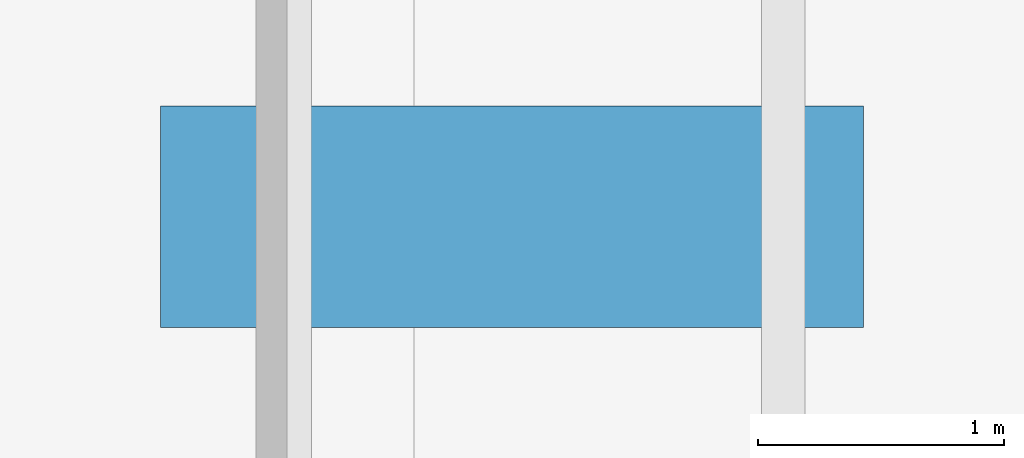
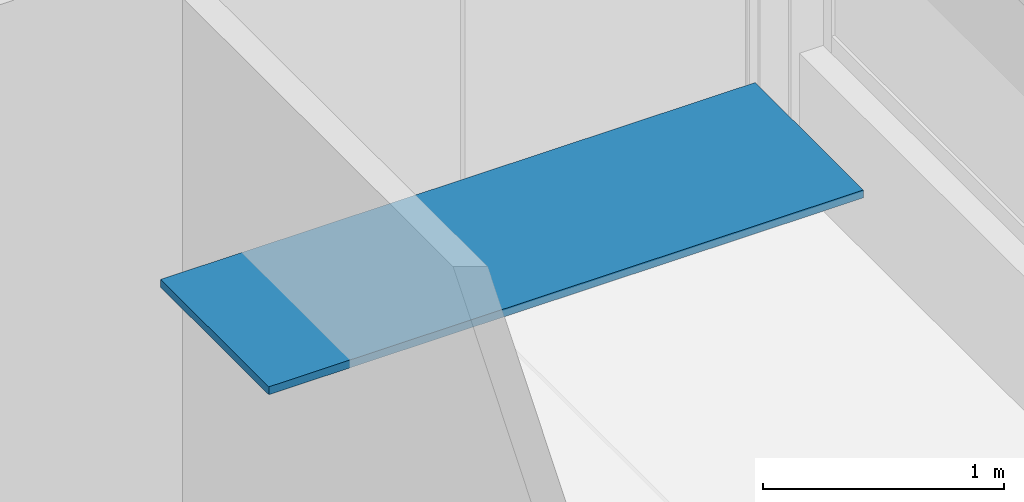
# One storey, part 80 of 92: 1 discrete accessory.
"""IFC4 building model written with IfcOpenShell, lengths in metres."""

import ifcopenshell
import ifcopenshell.guid

model = None  # the IFC model being written
_history = None  # IfcOwnerHistory: only IFC2X3 demands one
_inside = {}  # id of a spatial element -> (the spatial element, [elements in it])
_under = {}  # id of a project, library or spatial element -> (it, [spatial elements below it])
_declared = {}  # id of a project -> (the project, [libraries it declares])
_typed = {}  # id of a type object -> (the type object, [elements of that type])
_made_of = {}  # id of a material, layer set ... -> (it, [elements and type objects made of it])


def new_model(schema):
    """Start an empty IFC model of exactly this schema.

    Asked for "IFC4X3", IfcOpenShell would pick the latest addendum, in which some entities
    have other attributes; the version numbers below select the first issue.
    IFC2X3 requires an IfcOwnerHistory on every rooted entity: one is made here for all.
    """
    global model, _history
    if schema == "IFC4X3":
        model = ifcopenshell.file(schema_version=(4, 3, 0, 0))
    else:
        model = ifcopenshell.file(schema=schema)
    _inside.clear()
    _under.clear()
    _declared.clear()
    _typed.clear()
    _made_of.clear()
    _history = None
    if model.schema == "IFC2X3":
        org = make("IfcOrganization", Name="unknown")
        user = make(
            "IfcPersonAndOrganization",
            ThePerson=make("IfcPerson", FamilyName="unknown"),
            TheOrganization=org,
        )
        app = make(
            "IfcApplication",
            ApplicationDeveloper=org,
            Version="unknown",
            ApplicationFullName="unknown",
            ApplicationIdentifier="unknown",
        )
        _history = make(
            "IfcOwnerHistory",
            OwningUser=user,
            OwningApplication=app,
            ChangeAction="ADDED",
            CreationDate=0,
        )
    return model


def make(cls, **values):
    """One entity of the class cls with the attributes given. An attribute that is None is left unset."""
    return model.create_entity(
        cls, **{name: value for name, value in values.items() if value is not None}
    )


def rooted(cls, **values):
    """An entity with a GlobalId (a new one), such as an element, a storey or a relation."""
    return make(cls, GlobalId=ifcopenshell.guid.new(), OwnerHistory=_history, **values)


def si_unit(unit_type, name, prefix=None):
    """IfcSIUnit, for example si_unit("LENGTHUNIT", "METRE", prefix="MILLI")."""
    return make("IfcSIUnit", UnitType=unit_type, Prefix=prefix, Name=name)


def assignment(units):
    """IfcUnitAssignment: the units of a project."""
    return None if units is None else make("IfcUnitAssignment", Units=units)


def point(xyz):
    """IfcCartesianPoint."""
    return None if xyz is None else make("IfcCartesianPoint", Coordinates=xyz)


def direction(xyz):
    """IfcDirection."""
    return None if xyz is None else make("IfcDirection", DirectionRatios=xyz)


def frame(location, z_axis=None, x_axis=None):
    """IfcAxis2Placement3D, a coordinate frame: its origin and axes. An axis left out is left unset."""
    return make(
        "IfcAxis2Placement3D",
        Location=point(location),
        Axis=direction(z_axis),
        RefDirection=direction(x_axis),
    )


def frame_2d(location, x_axis=None):
    """IfcAxis2Placement2D, a coordinate frame in the plane: its origin and x axis."""
    return make(
        "IfcAxis2Placement2D", Location=point(location), RefDirection=direction(x_axis)
    )


def origin():
    """The frame at (0, 0, 0) with its axes left unset."""
    return frame((0.0, 0.0, 0.0))


def origin_2d():
    """The frame at (0, 0) in the plane with its x axis left unset."""
    return frame_2d((0.0, 0.0))


def place(relative_to, where):
    """IfcLocalPlacement: puts the frame where relative to a parent placement (None: the world)."""
    return make(
        "IfcLocalPlacement", PlacementRelTo=relative_to, RelativePlacement=where
    )


def context(
    kind, dimensions, precision=None, world=None, true_north=None, identifier=None
):
    """IfcGeometricRepresentationContext, for example the 3D "Model" context."""
    return make(
        "IfcGeometricRepresentationContext",
        ContextIdentifier=identifier,
        ContextType=kind,
        CoordinateSpaceDimension=dimensions,
        Precision=precision,
        WorldCoordinateSystem=world,
        TrueNorth=true_north,
    )


def subcontext(parent, identifier, kind, view, scale=None):
    """IfcGeometricRepresentationSubContext, for example "Body" below "Model"."""
    return make(
        "IfcGeometricRepresentationSubContext",
        ContextIdentifier=identifier,
        ContextType=kind,
        ParentContext=parent,
        TargetScale=scale,
        TargetView=view,
    )


def project(units=None, contexts=None):
    """IfcProject with its units and contexts."""
    return rooted(
        "IfcProject",
        Name="project",
        RepresentationContexts=contexts,
        UnitsInContext=assignment(units),
    )


def spatial(cls, under=None, at=None, **own):
    """A site, building, storey or space (cls), placed at a placement, below another one or the project."""
    s = rooted(cls, ObjectPlacement=at, **own)
    if under is not None:
        _under.setdefault(under.id(), (under, []))[1].append(s)
    return s


def profile(cls, at=None, kind="AREA", **sizes):
    """A parametric profile (cls). Its sizes go by their IFC names, for example OverallWidth=200.0."""
    return make(cls, ProfileType=kind, Position=at, **sizes)


def rectangle(**sizes):
    """IfcRectangleProfileDef."""
    return profile("IfcRectangleProfileDef", **sizes)


def extrude(swept, where, along, depth):
    """IfcExtrudedAreaSolid: the profile swept, set in the frame where, extruded along a direction by depth."""
    return make(
        "IfcExtrudedAreaSolid",
        SweptArea=swept,
        Position=where,
        ExtrudedDirection=direction(along),
        Depth=depth,
    )


def shape(context_of_items, identifier, shape_type, items):
    """IfcShapeRepresentation: the items that make up one representation, for example the "Body"."""
    return make(
        "IfcShapeRepresentation",
        ContextOfItems=context_of_items,
        RepresentationIdentifier=identifier,
        RepresentationType=shape_type,
        Items=items,
    )


def material(Name=None, Category=None):
    """IfcMaterial."""
    return make("IfcMaterial", Name=Name, Category=Category)


def made_of(thing, what):
    """Note that an element or type object is made of a material, layer set ...; save() writes the relation."""
    if what is not None:
        _made_of.setdefault(what.id(), (what, []))[1].append(thing)
    return thing


def type_object(cls, material=None, **own):
    """A type object (cls), such as IfcWallType, which elements share."""
    return made_of(rooted(cls, **own), material)


def element(
    cls,
    number,
    at=None,
    inside=None,
    cuts=None,
    type_object=None,
    material=None,
    context=None,
    identifier="Body",
    shape_type=None,
    held_by="IfcProductDefinitionShape",
    body=None,
    shapes=None,
    **own,
):
    """One element of the class cls, such as IfcWall. Its Tag is "e" and its number.

    at: its placement. inside: the storey or other place that contains it. cuts: it is an
    opening in that element (IfcRelVoidsElement). A single representation is given by context,
    identifier, shape_type and body (its items); several are given by shapes. held_by: the class
    of the entity that holds the representations. save() writes the other relations.
    """
    e = rooted(cls, Tag="e%d" % number, ObjectPlacement=at, **own)
    if body is not None:
        shapes = [shape(context, identifier, shape_type, body)]
    if shapes is not None:
        e.Representation = make(held_by, Representations=shapes)
    if inside is not None:
        _inside.setdefault(inside.id(), (inside, []))[1].append(e)
    if cuts is not None:
        rooted(
            "IfcRelVoidsElement", RelatingBuildingElement=cuts, RelatedOpeningElement=e
        )
    if type_object is not None:
        _typed.setdefault(type_object.id(), (type_object, []))[1].append(e)
    return made_of(e, material)


def aggregate(whole, parts):
    """IfcRelAggregates: a whole, such as a stair, and the parts it consists of."""
    return rooted("IfcRelAggregates", RelatingObject=whole, RelatedObjects=parts)


def save(model, path):
    """Write the relations noted so far, then the file.

    IfcRelAggregates (storeys below a building ...), IfcRelContainedInSpatialStructure (elements
    in a storey), IfcRelDefinesByType, IfcRelAssociatesMaterial and IfcRelDeclares: one each for
    every whole, place, type object, material and project.
    """
    for whole, parts in _under.values():
        aggregate(whole, parts)
    for where, things in _inside.values():
        rooted(
            "IfcRelContainedInSpatialStructure",
            RelatedElements=things,
            RelatingStructure=where,
        )
    for kind, things in _typed.values():
        rooted("IfcRelDefinesByType", RelatedObjects=things, RelatingType=kind)
    for what, things in _made_of.values():
        rooted("IfcRelAssociatesMaterial", RelatedObjects=things, RelatingMaterial=what)
    for by, libraries in _declared.values():
        rooted("IfcRelDeclares", RelatingContext=by, RelatedDefinitions=libraries)
    model.write(path)


model = new_model("IFC4")

# Units and contexts
model_context = context("Model", 3, precision=1e-05, world=origin(), true_north=direction((0.0, 1.0)))
body_context = subcontext(model_context, "Body", "Model", "MODEL_VIEW")
ifc_project = project(units=[si_unit("LENGTHUNIT", "METRE"), si_unit("AREAUNIT", "SQUARE_METRE"), si_unit("VOLUMEUNIT", "CUBIC_METRE"), si_unit("PLANEANGLEUNIT", "RADIAN"), si_unit("MASSUNIT", "GRAM", prefix="KILO")], contexts=[model_context])

# Site, building, storey
site_placement = place(None, origin())
site = spatial("IfcSite", under=ifc_project, at=site_placement, CompositionType="ELEMENT")
building_placement = place(site_placement, origin())
building = spatial("IfcBuilding", under=site, at=building_placement, Name="Siltcreek Boulevard Central Fire Station", CompositionType="ELEMENT")
storey_placement = place(building_placement, frame((0.0, 0.0, 6.0)))
storey = spatial("IfcBuildingStorey", under=building, at=storey_placement, Name="L02", CompositionType="ELEMENT", Elevation=6.0)

# Discrete accessory
ifc_material = material(Name="Hot-dip galvanized steel facade outrigger bracket", Category="steel")
discrete_accessory_type = type_object("IfcDiscreteAccessoryType", Name="ACC_BRACKET", PredefinedType="BRACKET", material=ifc_material)
discrete_accessory_placement = place(storey_placement, frame((163.097412109375, 103.284912109375, 2.411865234375), z_axis=(0.0, 0.0, 1.0), x_axis=(1.0, 0.0, 0.0)))
element("IfcDiscreteAccessory", 1, at=discrete_accessory_placement, inside=storey, type_object=discrete_accessory_type, Name="L02 acoustic ceiling wall ledger bracket 021", PredefinedType="BRACKET", context=body_context, shape_type="SweptSolid", body=[
    extrude(rectangle(XDim=2.85498046875, YDim=0.89990234375, at=origin_2d()), origin(), (0.0, 0.0, 1.0), 0.0400390625),
])

save(model, "model.ifc")
